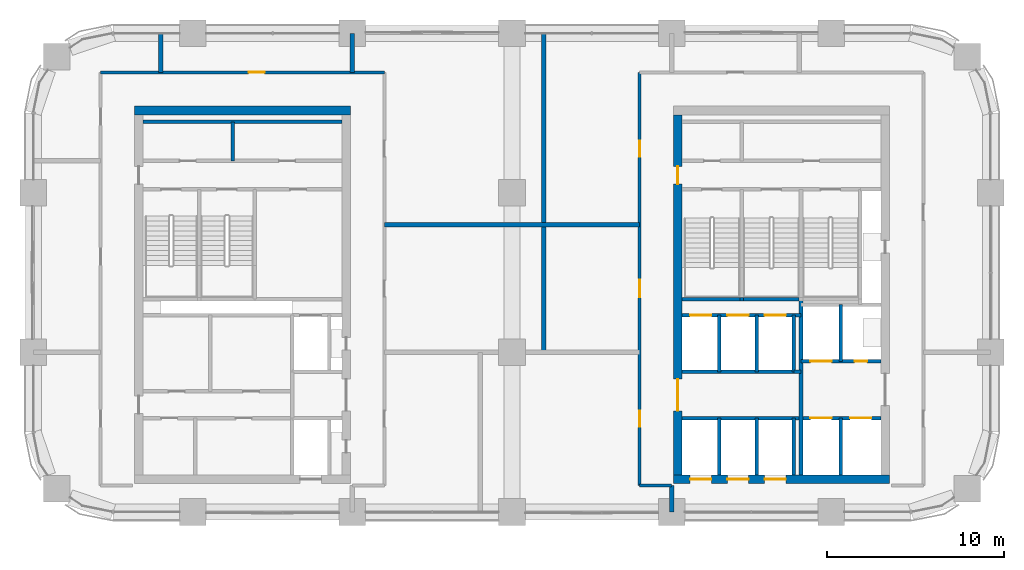
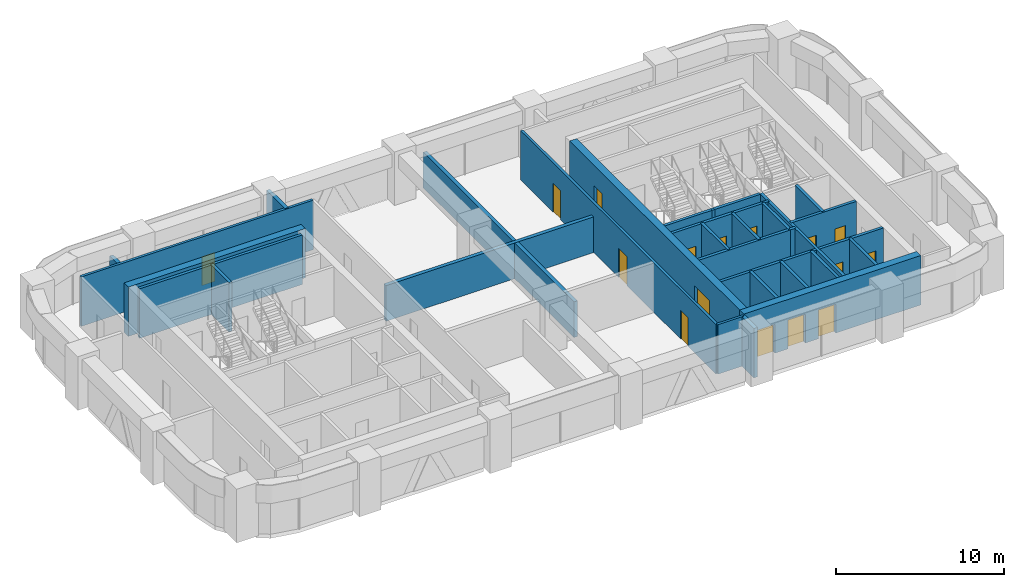
# One storey, part 9 of 18: 30 walls, 16 doors, 16 openings.
"""IFC4 building model written with IfcOpenShell, lengths in metres."""

from ifc_helpers import new_model, si_unit, direction, frame, frame_2d, origin, place, context, subcontext, project, spatial, rectangle, extrude, material, layer, layer_set, type_object, element, fill, save


model = new_model("IFC4")

# Units and contexts
model_context = context("Model", 3, precision=1e-05, world=origin(), true_north=direction((0.0, 1.0)))
body_context = subcontext(model_context, "Body", "Model", "MODEL_VIEW")
ifc_project = project(units=[si_unit("LENGTHUNIT", "METRE"), si_unit("AREAUNIT", "SQUARE_METRE"), si_unit("VOLUMEUNIT", "CUBIC_METRE"), si_unit("PLANEANGLEUNIT", "RADIAN"), si_unit("MASSUNIT", "GRAM", prefix="KILO")], contexts=[model_context])

# Site, building, storey
site_placement = place(None, origin())
site = spatial("IfcSite", under=ifc_project, at=site_placement, CompositionType="ELEMENT")
building_placement = place(site_placement, origin())
building = spatial("IfcBuilding", under=site, at=building_placement, Name="Tessera Arch", CompositionType="ELEMENT")
storey_placement = place(building_placement, frame((0.0, 0.0, 185.60009765625)))
storey = spatial("IfcBuildingStorey", under=building, at=storey_placement, Name="L44", CompositionType="ELEMENT", Elevation=185.60009765625)

# Walls
ifc_material_1 = material(Name="Gypsum board on steel stud", Category="steel")
ifc_layer_1 = layer(ifc_material_1, 0.125)
ifc_layer_set_1 = layer_set([ifc_layer_1], Name="Core partition 125 EI 60")
wall_type_1 = type_object("IfcWallType", Name="Core partition 125 EI 60", PredefinedType="PARTITIONING", material=ifc_layer_set_1)
wall_1_placement = place(storey_placement, frame((42.89990234375, 34.89990234375, 0.0), z_axis=(0.0, 0.0, 1.0), x_axis=(1.0, 0.0, 0.0)))
element("IfcWall", 1, at=wall_1_placement, inside=storey, type_object=wall_type_1, Name="L44 C1 partition wall 19", PredefinedType="PARTITIONING", context=body_context, shape_type="SweptSolid", body=[
    extrude(rectangle(XDim=0.400146484375, YDim=0.199951171875, at=frame_2d((0.2001953125, 0.0))), origin(), (0.0, 0.0, 1.0), 3.599853515625),
])
wall_2_placement = place(storey_placement, frame((11.239990234375, 46.800048828125, 0.0), z_axis=(0.0, 0.0, 1.0), x_axis=(0.0, 1.0, 0.0)))
element("IfcWall", 2, at=wall_2_placement, inside=storey, type_object=wall_type_1, Name="L44 C2 partition wall 5", PredefinedType="PARTITIONING", context=body_context, shape_type="SweptSolid", body=[
    extrude(rectangle(XDim=2.199951171875, YDim=0.199951171875, at=frame_2d((1.10009765625, 0.0))), origin(), (0.0, 0.0, 1.0), 3.599853515625),
])
wall_3_placement = place(storey_placement, frame((6.199951171875, 49.0, 0.0), z_axis=(0.0, 0.0, 1.0), x_axis=(1.0, 0.0, 0.0)))
element("IfcWall", 3, at=wall_3_placement, inside=storey, type_object=wall_type_1, Name="L44 C2 partition wall 25", PredefinedType="PARTITIONING", context=body_context, shape_type="SweptSolid", body=[
    extrude(rectangle(XDim=11.199951171875, YDim=0.199951171875, at=frame_2d((5.60009765625, 0.0))), origin(), (0.0, 0.0, 1.0), 3.599853515625),
])

# Wall, openings, doors
ifc_material_2 = material(Name="Concrete C60/75", Category="concrete")
ifc_layer_2 = layer(ifc_material_2, 0.5)
ifc_layer_set_2 = layer_set([ifc_layer_2], Name="Core shell wall 500 C60-75")
wall_type_2 = type_object("IfcWallType", Name="Core shell wall 500 C60-75", PredefinedType="SHEAR", material=ifc_layer_set_2)
wall_4_placement = place(storey_placement, frame((36.10009765625, 28.85009765625, 0.0), z_axis=(0.0, 0.0, 1.0), x_axis=(1.0, 0.0, 0.0)))
wall_4 = element("IfcWall", 4, at=wall_4_placement, inside=storey, type_object=wall_type_2, Name="L44 C1 core wall S", PredefinedType="SHEAR", context=body_context, shape_type="SweptSolid", body=[
    extrude(rectangle(XDim=12.199951171875, YDim=0.5, at=frame_2d((6.10009765625, 0.0))), origin(), (0.0, 0.0, 1.0), 3.599853515625),
])
opening_1_placement = place(wall_4_placement, frame((0.949951171875, 0.0, 0.0)))
opening_1 = element("IfcOpeningElement", 5, at=opening_1_placement, cuts=wall_4, Name="Opening L44-C01", PredefinedType="OPENING", context=body_context, shape_type="SweptSolid", body=[
    extrude(rectangle(XDim=1.199951171875, YDim=2.10009765625, at=frame_2d((0.60009765625, 1.050048828125))), frame((0.0, 0.260009765625, 0.0), z_axis=(0.0, -1.0, 0.0), x_axis=(1.0, 0.0, 0.0)), (0.0, 0.0, 1.0), 0.52001953125),
])
opening_2_placement = place(wall_4_placement, frame((3.050048828125, 0.0, 0.0)))
opening_2 = element("IfcOpeningElement", 6, at=opening_2_placement, cuts=wall_4, Name="Opening L44-C03", PredefinedType="OPENING", context=body_context, shape_type="SweptSolid", body=[
    extrude(rectangle(XDim=1.199951171875, YDim=2.10009765625, at=frame_2d((0.60009765625, 1.050048828125))), frame((0.0, 0.260009765625, 0.0), z_axis=(0.0, -1.0, 0.0), x_axis=(1.0, 0.0, 0.0)), (0.0, 0.0, 1.0), 0.52001953125),
])
opening_3_placement = place(wall_4_placement, frame((5.14990234375, 0.0, 0.0)))
opening_3 = element("IfcOpeningElement", 7, at=opening_3_placement, cuts=wall_4, Name="Opening L44-C05", PredefinedType="OPENING", context=body_context, shape_type="SweptSolid", body=[
    extrude(rectangle(XDim=1.199951171875, YDim=2.10009765625, at=frame_2d((0.60009765625, 1.050048828125))), frame((0.0, 0.260009765625, 0.0), z_axis=(0.0, -1.0, 0.0), x_axis=(1.0, 0.0, 0.0)), (0.0, 0.0, 1.0), 0.52001953125),
])
ifc_material_3 = material(Name="Stainless steel AISI 304", Category="steel")
door_type_1 = type_object("IfcDoorType", Name="Sliding landing door 1200 x 2100", OperationType="SLIDING_TO_LEFT", PredefinedType="DOOR", material=ifc_material_3)
door_1_placement = place(opening_1_placement, origin())
door_1 = element("IfcDoor", 8, at=door_1_placement, inside=storey, type_object=door_type_1, Name="L44 HR1 lift landing door C01 type LD", OperationType="SLIDING_TO_LEFT", OverallHeight=2.10009765625, OverallWidth=1.199951171875, PredefinedType="DOOR", context=body_context, shape_type="SweptSolid", body=[
    extrude(rectangle(XDim=1.199951171875, YDim=2.10009765625, at=frame_2d((0.60009765625, 1.050048828125))), frame((0.0, 0.02490234375, 0.0), z_axis=(0.0, -1.0, 0.0), x_axis=(1.0, 0.0, 0.0)), (0.0, 0.0, 1.0), 0.050048828125),
])
fill(opening_1, door_1)
door_2_placement = place(opening_2_placement, origin())
door_2 = element("IfcDoor", 9, at=door_2_placement, inside=storey, type_object=door_type_1, Name="L44 HR2 lift landing door C03 type LD", OperationType="SLIDING_TO_LEFT", OverallHeight=2.10009765625, OverallWidth=1.199951171875, PredefinedType="DOOR", context=body_context, shape_type="SweptSolid", body=[
    extrude(rectangle(XDim=1.199951171875, YDim=2.10009765625, at=frame_2d((0.60009765625, 1.050048828125))), frame((0.0, 0.02490234375, 0.0), z_axis=(0.0, -1.0, 0.0), x_axis=(1.0, 0.0, 0.0)), (0.0, 0.0, 1.0), 0.050048828125),
])
fill(opening_2, door_2)
door_3_placement = place(opening_3_placement, origin())
door_3 = element("IfcDoor", 10, at=door_3_placement, inside=storey, type_object=door_type_1, Name="L44 HR3 lift landing door C05 type LD", OperationType="SLIDING_TO_LEFT", OverallHeight=2.10009765625, OverallWidth=1.199951171875, PredefinedType="DOOR", context=body_context, shape_type="SweptSolid", body=[
    extrude(rectangle(XDim=1.199951171875, YDim=2.10009765625, at=frame_2d((0.60009765625, 1.050048828125))), frame((0.0, 0.02490234375, 0.0), z_axis=(0.0, -1.0, 0.0), x_axis=(1.0, 0.0, 0.0)), (0.0, 0.0, 1.0), 0.050048828125),
])
fill(opening_3, door_3)

wall_5_placement = place(storey_placement, frame((36.35009765625, 29.10009765625, 0.0), z_axis=(0.0, 0.0, 1.0), x_axis=(0.0, 1.0, 0.0)))
wall_5 = element("IfcWall", 11, at=wall_5_placement, inside=storey, type_object=wall_type_2, Name="L44 C1 core wall W", PredefinedType="SHEAR", context=body_context, shape_type="SweptSolid", body=[
    extrude(rectangle(XDim=20.2998046875, YDim=0.5, at=frame_2d((10.14990234375, 0.0))), origin(), (0.0, 0.0, 1.0), 3.599853515625),
])
opening_4_placement = place(wall_5_placement, frame((3.60009765625, 0.0, 0.0)))
opening_4 = element("IfcOpeningElement", 12, at=opening_4_placement, cuts=wall_5, Name="Opening L44-C10", PredefinedType="OPENING", context=body_context, shape_type="SweptSolid", body=[
    extrude(rectangle(XDim=1.800048828125, YDim=2.10009765625, at=frame_2d((0.89990234375, 1.050048828125))), frame((0.0, 0.260009765625, 0.0), z_axis=(0.0, -1.0, 0.0), x_axis=(1.0, 0.0, 0.0)), (0.0, 0.0, 1.0), 0.52001953125),
])
opening_5_placement = place(wall_5_placement, frame((16.39990234375, 0.0, 0.0)))
opening_5 = element("IfcOpeningElement", 13, at=opening_5_placement, cuts=wall_5, Name="Opening L44-C17", PredefinedType="OPENING", context=body_context, shape_type="SweptSolid", body=[
    extrude(rectangle(XDim=1.0, YDim=2.10009765625, at=frame_2d((0.5, 1.050048828125))), frame((0.0, 0.260009765625, 0.0), z_axis=(0.0, -1.0, 0.0), x_axis=(1.0, 0.0, 0.0)), (0.0, 0.0, 1.0), 0.52001953125),
])
ifc_material_4 = material(Name="Steel door leaf", Category="steel")
door_type_2 = type_object("IfcDoorType", Name="Corridor door FD60 1000 x 2100", OperationType="SINGLE_SWING_LEFT", PredefinedType="DOOR", material=ifc_material_4)
door_4_placement = place(opening_5_placement, origin())
door_4 = element("IfcDoor", 14, at=door_4_placement, inside=storey, type_object=door_type_2, Name="L44 C1 door 17 C17 type D12", OperationType="SINGLE_SWING_RIGHT", OverallHeight=2.10009765625, OverallWidth=1.0, PredefinedType="DOOR", context=body_context, shape_type="SweptSolid", body=[
    extrude(rectangle(XDim=1.0, YDim=2.10009765625, at=frame_2d((0.5, 1.050048828125))), frame((0.0, 0.02490234375, 0.0), z_axis=(0.0, -1.0, 0.0), x_axis=(1.0, 0.0, 0.0)), (0.0, 0.0, 1.0), 0.050048828125),
])
fill(opening_5, door_4)
ifc_material_5 = material(Name="Glazed steel door leaf", Category="steel")
door_type_3 = type_object("IfcDoorType", Name="Lobby double door FD30S 1800 x 2100", OperationType="DOUBLE_DOOR_SINGLE_SWING", PredefinedType="DOOR", material=ifc_material_5)
door_5_placement = place(opening_4_placement, origin())
door_5 = element("IfcDoor", 15, at=door_5_placement, inside=storey, type_object=door_type_3, Name="L44 C1 door 10 C10 type D06", OperationType="DOUBLE_DOOR_SINGLE_SWING", OverallHeight=2.10009765625, OverallWidth=1.800048828125, PredefinedType="DOOR", context=body_context, shape_type="SweptSolid", body=[
    extrude(rectangle(XDim=1.800048828125, YDim=2.10009765625, at=frame_2d((0.89990234375, 1.050048828125))), frame((0.0, 0.02490234375, 0.0), z_axis=(0.0, -1.0, 0.0), x_axis=(1.0, 0.0, 0.0)), (0.0, 0.0, 1.0), 0.050048828125),
])
fill(opening_4, door_5)

# Walls
wall_6_placement = place(storey_placement, frame((5.699951171875, 49.64990234375, 0.0), z_axis=(0.0, 0.0, 1.0), x_axis=(1.0, 0.0, 0.0)))
element("IfcWall", 16, at=wall_6_placement, inside=storey, type_object=wall_type_2, Name="L44 C2 core wall N", PredefinedType="SHEAR", context=body_context, shape_type="SweptSolid", body=[
    extrude(rectangle(XDim=12.199951171875, YDim=0.5, at=frame_2d((6.10009765625, 0.0))), origin(), (0.0, 0.0, 1.0), 3.599853515625),
])
ifc_material_6 = material(Name="Gypsum board on deep steel stud with mineral wool", Category="steel")
ifc_layer_3 = layer(ifc_material_6, 0.175048828125)
ifc_layer_set_3 = layer_set([ifc_layer_3], Name="Corridor wall 175 EI 60")
wall_type_3 = type_object("IfcWallType", Name="Corridor wall 175 EI 60", PredefinedType="PARTITIONING", material=ifc_layer_set_3)
wall_7_placement = place(storey_placement, frame((34.199951171875, 28.5, 0.0), z_axis=(0.0, 0.0, 1.0), x_axis=(1.0, 0.0, 0.0)))
element("IfcWall", 17, at=wall_7_placement, inside=storey, type_object=wall_type_3, Name="L44 partition 3", PredefinedType="PARTITIONING", context=body_context, shape_type="SweptSolid", body=[
    extrude(rectangle(XDim=1.800048828125, YDim=0.175048828125, at=frame_2d((0.89990234375, 0.0))), origin(), (0.0, 0.0, 1.0), 3.599853515625),
])

# Wall, opening, door
wall_8_placement = place(storey_placement, frame((3.800048828125, 51.800048828125, 0.0), z_axis=(0.0, 0.0, 1.0), x_axis=(1.0, 0.0, 0.0)))
wall_8 = element("IfcWall", 18, at=wall_8_placement, inside=storey, type_object=wall_type_3, Name="L44 partition 5", PredefinedType="PARTITIONING", context=body_context, shape_type="SweptSolid", body=[
    extrude(rectangle(XDim=16.0, YDim=0.175048828125, at=frame_2d((8.0, 0.0))), origin(), (0.0, 0.0, 1.0), 3.599853515625),
])
opening_6_placement = place(wall_8_placement, frame((8.34765625, 0.0, 0.0)))
opening_6 = element("IfcOpeningElement", 19, at=opening_6_placement, cuts=wall_8, Name="Opening L44-D012", PredefinedType="OPENING", context=body_context, shape_type="SweptSolid", body=[
    extrude(rectangle(XDim=0.89990234375, YDim=2.10009765625, at=frame_2d((0.449951171875, 1.050048828125))), frame((0.0, 0.097412109375, 0.0), z_axis=(0.0, -1.0, 0.0), x_axis=(1.0, 0.0, 0.0)), (0.0, 0.0, 1.0), 0.195068359375),
])
ifc_material_7 = material(Name="Timber door leaf", Category="wood")
door_type_4 = type_object("IfcDoorType", Name="Room door 900 x 2100", OperationType="SINGLE_SWING_LEFT", PredefinedType="DOOR", material=ifc_material_7)
door_6_placement = place(opening_6_placement, origin())
door_6 = element("IfcDoor", 20, at=door_6_placement, inside=storey, type_object=door_type_4, Name="L44 door D012 type D01", OperationType="SINGLE_SWING_RIGHT", OverallHeight=2.10009765625, OverallWidth=0.89990234375, PredefinedType="DOOR", context=body_context, shape_type="SweptSolid", body=[
    extrude(rectangle(XDim=0.89990234375, YDim=2.10009765625, at=frame_2d((0.449951171875, 1.050048828125))), frame((0.0, 0.02490234375, 0.0), z_axis=(0.0, -1.0, 0.0), x_axis=(1.0, 0.0, 0.0)), (0.0, 0.0, 1.0), 0.050048828125),
])
fill(opening_6, door_6)

# Wall, openings, doors
wall_9_placement = place(storey_placement, frame((34.199951171875, 28.5, 0.0), z_axis=(0.0, 0.0, 1.0), x_axis=(0.0, 1.0, 0.0)))
wall_9 = element("IfcWall", 21, at=wall_9_placement, inside=storey, type_object=wall_type_3, Name="L44 partition 9", PredefinedType="PARTITIONING", context=body_context, shape_type="SweptSolid", body=[
    extrude(rectangle(XDim=23.300048828125, YDim=0.175048828125, at=frame_2d((11.64990234375, 0.0))), origin(), (0.0, 0.0, 1.0), 3.599853515625),
])
opening_7_placement = place(wall_9_placement, frame((3.300048828125, 0.0, 0.0)))
opening_7 = element("IfcOpeningElement", 22, at=opening_7_placement, cuts=wall_9, Name="Opening L44-D004", PredefinedType="OPENING", context=body_context, shape_type="SweptSolid", body=[
    extrude(rectangle(XDim=0.89990234375, YDim=2.10009765625, at=frame_2d((0.449951171875, 1.050048828125))), frame((0.0, 0.097412109375, 0.0), z_axis=(0.0, -1.0, 0.0), x_axis=(1.0, 0.0, 0.0)), (0.0, 0.0, 1.0), 0.195068359375),
])
opening_8_placement = place(wall_9_placement, frame((10.60009765625, 0.0, 0.0)))
opening_8 = element("IfcOpeningElement", 23, at=opening_8_placement, cuts=wall_9, Name="Opening L44-D006", PredefinedType="OPENING", context=body_context, shape_type="SweptSolid", body=[
    extrude(rectangle(XDim=1.0, YDim=2.10009765625, at=frame_2d((0.5, 1.050048828125))), frame((0.0, 0.097412109375, 0.0), z_axis=(0.0, -1.0, 0.0), x_axis=(1.0, 0.0, 0.0)), (0.0, 0.0, 1.0), 0.195068359375),
])
opening_9_placement = place(wall_9_placement, frame((18.550048828125, 0.0, 0.0)))
opening_9 = element("IfcOpeningElement", 24, at=opening_9_placement, cuts=wall_9, Name="Opening L44-D010", PredefinedType="OPENING", context=body_context, shape_type="SweptSolid", body=[
    extrude(rectangle(XDim=0.89990234375, YDim=2.10009765625, at=frame_2d((0.449951171875, 1.050048828125))), frame((0.0, 0.097412109375, 0.0), z_axis=(0.0, -1.0, 0.0), x_axis=(1.0, 0.0, 0.0)), (0.0, 0.0, 1.0), 0.195068359375),
])
ifc_material_8 = material(Name="Fire-rated door leaf")
door_type_5 = type_object("IfcDoorType", Name="Entrance door FD30S 1000 x 2100", OperationType="SINGLE_SWING_LEFT", PredefinedType="DOOR", material=ifc_material_8)
door_7_placement = place(opening_8_placement, origin())
door_7 = element("IfcDoor", 25, at=door_7_placement, inside=storey, type_object=door_type_5, Name="L44 door D006 type D03", OperationType="SINGLE_SWING_RIGHT", OverallHeight=2.10009765625, OverallWidth=1.0, PredefinedType="DOOR", context=body_context, shape_type="SweptSolid", body=[
    extrude(rectangle(XDim=1.0, YDim=2.10009765625, at=frame_2d((0.5, 1.050048828125))), frame((0.0, 0.02490234375, 0.0), z_axis=(0.0, -1.0, 0.0), x_axis=(1.0, 0.0, 0.0)), (0.0, 0.0, 1.0), 0.050048828125),
])
fill(opening_8, door_7)
door_8_placement = place(opening_7_placement, origin())
door_8 = element("IfcDoor", 26, at=door_8_placement, inside=storey, type_object=door_type_4, Name="L44 door D004 type D01", OperationType="SINGLE_SWING_RIGHT", OverallHeight=2.10009765625, OverallWidth=0.89990234375, PredefinedType="DOOR", context=body_context, shape_type="SweptSolid", body=[
    extrude(rectangle(XDim=0.89990234375, YDim=2.10009765625, at=frame_2d((0.449951171875, 1.050048828125))), frame((0.0, 0.02490234375, 0.0), z_axis=(0.0, -1.0, 0.0), x_axis=(1.0, 0.0, 0.0)), (0.0, 0.0, 1.0), 0.050048828125),
])
fill(opening_7, door_8)
door_9_placement = place(opening_9_placement, origin())
door_9 = element("IfcDoor", 27, at=door_9_placement, inside=storey, type_object=door_type_4, Name="L44 door D010 type D01", OperationType="SINGLE_SWING_RIGHT", OverallHeight=2.10009765625, OverallWidth=0.89990234375, PredefinedType="DOOR", context=body_context, shape_type="SweptSolid", body=[
    extrude(rectangle(XDim=0.89990234375, YDim=2.10009765625, at=frame_2d((0.449951171875, 1.050048828125))), frame((0.0, 0.02490234375, 0.0), z_axis=(0.0, -1.0, 0.0), x_axis=(1.0, 0.0, 0.0)), (0.0, 0.0, 1.0), 0.050048828125),
])
fill(opening_9, door_9)

# Walls
ifc_material_9 = material(Name="Double gypsum board on twin steel stud with acoustic mineral wool", Category="steel")
ifc_layer_4 = layer(ifc_material_9, 0.25)
ifc_layer_set_4 = layer_set([ifc_layer_4], Name="Party wall 250 EI 60")
wall_type_4 = type_object("IfcWallType", Name="Party wall 250 EI 60", PredefinedType="PARTITIONING", material=ifc_layer_set_4)
wall_10_placement = place(storey_placement, frame((19.800048828125, 43.199951171875, 0.0), z_axis=(0.0, 0.0, 1.0), x_axis=(1.0, 0.0, 0.0)))
element("IfcWall", 28, at=wall_10_placement, inside=storey, type_object=wall_type_4, Name="L44 partition 14", PredefinedType="PARTITIONING", context=body_context, shape_type="SweptSolid", body=[
    extrude(rectangle(XDim=14.39990234375, YDim=0.25, at=frame_2d((7.199951171875, 0.0))), origin(), (0.0, 0.0, 1.0), 2.599853515625),
])
wall_11_placement = place(storey_placement, frame((7.195068359375, 51.800048828125, 0.0), z_axis=(0.0, 0.0, 1.0), x_axis=(0.0, 1.0, 0.0)))
element("IfcWall", 29, at=wall_11_placement, inside=storey, type_object=wall_type_4, Name="L44 partition 16", PredefinedType="PARTITIONING", context=body_context, shape_type="SweptSolid", body=[
    extrude(rectangle(XDim=2.199951171875, YDim=0.25, at=frame_2d((1.10009765625, 0.0))), origin(), (0.0, 0.0, 1.0), 2.599853515625),
])
wall_12_placement = place(storey_placement, frame((18.0, 51.800048828125, 0.0), z_axis=(0.0, 0.0, 1.0), x_axis=(0.0, 1.0, 0.0)))
element("IfcWall", 30, at=wall_12_placement, inside=storey, type_object=wall_type_4, Name="L44 partition 18", PredefinedType="PARTITIONING", context=body_context, shape_type="SweptSolid", body=[
    extrude(rectangle(XDim=2.199951171875, YDim=0.25, at=frame_2d((1.10009765625, 0.0))), origin(), (0.0, 0.0, 1.0), 3.599853515625),
])
wall_13_placement = place(storey_placement, frame((28.800048828125, 36.0, 0.0), z_axis=(0.0, 0.0, 1.0), x_axis=(0.0, 1.0, 0.0)))
element("IfcWall", 31, at=wall_13_placement, inside=storey, type_object=wall_type_4, Name="L44 partition 20", PredefinedType="PARTITIONING", context=body_context, shape_type="SweptSolid", body=[
    extrude(rectangle(XDim=18.0, YDim=0.25, at=frame_2d((9.0, 0.0))), origin(), (0.0, 0.0, 1.0), 2.599853515625),
])
wall_14_placement = place(storey_placement, frame((36.0, 27.0, 0.0), z_axis=(0.0, 0.0, 1.0), x_axis=(0.0, 1.0, 0.0)))
element("IfcWall", 32, at=wall_14_placement, inside=storey, type_object=wall_type_4, Name="L44 partition 21", PredefinedType="PARTITIONING", context=body_context, shape_type="SweptSolid", body=[
    extrude(rectangle(XDim=1.5, YDim=0.25, at=frame_2d((0.75, 0.0))), origin(), (0.0, 0.0, 1.0), 3.599853515625),
])
ifc_material_10 = material(Name="Concrete C40/50", Category="concrete")
ifc_layer_5 = layer(ifc_material_10, 0.199951171875)
ifc_layer_set_5 = layer_set([ifc_layer_5], Name="Shaft wall 200 EI 120")
wall_type_5 = type_object("IfcWallType", Name="Shaft wall 200 EI 120", PredefinedType="SOLIDWALL", material=ifc_layer_set_5)
wall_15_placement = place(storey_placement, frame((38.699951171875, 29.10009765625, 0.0), z_axis=(0.0, 0.0, 1.0), x_axis=(0.0, 1.0, 0.0)))
element("IfcWall", 33, at=wall_15_placement, inside=storey, type_object=wall_type_5, Name="L44 C1 shaft wall 1", PredefinedType="SOLIDWALL", context=body_context, shape_type="SweptSolid", body=[
    extrude(rectangle(XDim=3.199951171875, YDim=0.199951171875, at=frame_2d((1.60009765625, 0.0))), origin(), (0.0, 0.0, 1.0), 3.599853515625),
])
wall_16_placement = place(storey_placement, frame((38.699951171875, 34.89990234375, 0.0), z_axis=(0.0, 0.0, 1.0), x_axis=(0.0, 1.0, 0.0)))
element("IfcWall", 34, at=wall_16_placement, inside=storey, type_object=wall_type_5, Name="L44 C1 shaft wall 2", PredefinedType="SOLIDWALL", context=body_context, shape_type="SweptSolid", body=[
    extrude(rectangle(XDim=3.2001953125, YDim=0.199951171875, at=frame_2d((1.60009765625, 0.0))), origin(), (0.0, 0.0, 1.0), 3.599853515625),
])
wall_17_placement = place(storey_placement, frame((40.800048828125, 29.10009765625, 0.0), z_axis=(0.0, 0.0, 1.0), x_axis=(0.0, 1.0, 0.0)))
element("IfcWall", 35, at=wall_17_placement, inside=storey, type_object=wall_type_5, Name="L44 C1 shaft wall 6", PredefinedType="SOLIDWALL", context=body_context, shape_type="SweptSolid", body=[
    extrude(rectangle(XDim=3.199951171875, YDim=0.199951171875, at=frame_2d((1.60009765625, 0.0))), origin(), (0.0, 0.0, 1.0), 3.599853515625),
])
wall_18_placement = place(storey_placement, frame((40.800048828125, 34.89990234375, 0.0), z_axis=(0.0, 0.0, 1.0), x_axis=(0.0, 1.0, 0.0)))
element("IfcWall", 36, at=wall_18_placement, inside=storey, type_object=wall_type_5, Name="L44 C1 shaft wall 7", PredefinedType="SOLIDWALL", context=body_context, shape_type="SweptSolid", body=[
    extrude(rectangle(XDim=3.2001953125, YDim=0.199951171875, at=frame_2d((1.60009765625, 0.0))), origin(), (0.0, 0.0, 1.0), 3.599853515625),
])
wall_19_placement = place(storey_placement, frame((42.89990234375, 29.10009765625, 0.0), z_axis=(0.0, 0.0, 1.0), x_axis=(0.0, 1.0, 0.0)))
element("IfcWall", 37, at=wall_19_placement, inside=storey, type_object=wall_type_5, Name="L44 C1 shaft wall 8", PredefinedType="SOLIDWALL", context=body_context, shape_type="SweptSolid", body=[
    extrude(rectangle(XDim=3.199951171875, YDim=0.199951171875, at=frame_2d((1.60009765625, 0.0))), origin(), (0.0, 0.0, 1.0), 3.599853515625),
])
wall_20_placement = place(storey_placement, frame((42.89990234375, 34.89990234375, 0.0), z_axis=(0.0, 0.0, 1.0), x_axis=(0.0, 1.0, 0.0)))
element("IfcWall", 38, at=wall_20_placement, inside=storey, type_object=wall_type_5, Name="L44 C1 shaft wall 9", PredefinedType="SOLIDWALL", context=body_context, shape_type="SweptSolid", body=[
    extrude(rectangle(XDim=3.2001953125, YDim=0.199951171875, at=frame_2d((1.60009765625, 0.0))), origin(), (0.0, 0.0, 1.0), 3.599853515625),
])
wall_21_placement = place(storey_placement, frame((43.300048828125, 29.10009765625, 0.0), z_axis=(0.0, 0.0, 1.0), x_axis=(0.0, 1.0, 0.0)))
element("IfcWall", 39, at=wall_21_placement, inside=storey, type_object=wall_type_5, Name="L44 C1 shaft wall 10", PredefinedType="SOLIDWALL", context=body_context, shape_type="SweptSolid", body=[
    extrude(rectangle(XDim=9.89990234375, YDim=0.199951171875, at=frame_2d((4.949951171875, 0.0))), origin(), (0.0, 0.0, 1.0), 3.599853515625),
])
for number, where, z_axis, x_axis, name in (
    (40, (45.550048828125, 29.10009765625, 0.0), (0.0, 0.0, 1.0), (0.0, 1.0, 0.0), "L44 C1 shaft wall 13"),
    (41, (45.550048828125, 35.5, 0.0), (0.0, 0.0, 1.0), (0.0, 1.0, 0.0), "L44 C1 shaft wall 14"),
):
    element("IfcWall", number, at=place(storey_placement, frame(where, z_axis=z_axis, x_axis=x_axis)), inside=storey, type_object=wall_type_5, Name=name, PredefinedType="SOLIDWALL", context=body_context, shape_type="SweptSolid", body=[
        extrude(rectangle(XDim=3.199951171875, YDim=0.199951171875, at=frame_2d((1.60009765625, 0.0))), origin(), (0.0, 0.0, 1.0), 3.599853515625),
    ])

# Wall, openings, doors
wall_22_placement = place(storey_placement, frame((36.60009765625, 32.300048828125, 0.0), z_axis=(0.0, 0.0, 1.0), x_axis=(1.0, 0.0, 0.0)))
wall_22 = element("IfcWall", 42, at=wall_22_placement, inside=storey, type_object=wall_type_5, Name="L44 C1 shaft wall 18", PredefinedType="SOLIDWALL", context=body_context, shape_type="SweptSolid", body=[
    extrude(rectangle(XDim=11.199951171875, YDim=0.199951171875, at=frame_2d((5.60009765625, 0.0))), origin(), (0.0, 0.0, 1.0), 3.599853515625),
])
opening_10_placement = place(wall_22_placement, frame((7.22509765625, 0.0, 0.0)))
opening_10 = element("IfcOpeningElement", 43, at=opening_10_placement, cuts=wall_22, Name="Opening L44-C07", PredefinedType="OPENING", context=body_context, shape_type="SweptSolid", body=[
    extrude(rectangle(XDim=1.199951171875, YDim=2.10009765625, at=frame_2d((0.60009765625, 1.050048828125))), frame((0.0, 0.10986328125, 0.0), z_axis=(0.0, -1.0, 0.0), x_axis=(1.0, 0.0, 0.0)), (0.0, 0.0, 1.0), 0.219970703125),
])
opening_11_placement = place(wall_22_placement, frame((9.47509765625, 0.0, 0.0)))
opening_11 = element("IfcOpeningElement", 44, at=opening_11_placement, cuts=wall_22, Name="Opening L44-C08", PredefinedType="OPENING", context=body_context, shape_type="SweptSolid", body=[
    extrude(rectangle(XDim=1.199951171875, YDim=2.10009765625, at=frame_2d((0.60009765625, 1.050048828125))), frame((0.0, 0.10986328125, 0.0), z_axis=(0.0, -1.0, 0.0), x_axis=(1.0, 0.0, 0.0)), (0.0, 0.0, 1.0), 0.219970703125),
])
door_10_placement = place(opening_10_placement, origin())
door_10 = element("IfcDoor", 45, at=door_10_placement, inside=storey, type_object=door_type_1, Name="L44 FF1 lift landing door C07 type LD", OperationType="SLIDING_TO_LEFT", OverallHeight=2.10009765625, OverallWidth=1.199951171875, PredefinedType="DOOR", context=body_context, shape_type="SweptSolid", body=[
    extrude(rectangle(XDim=1.199951171875, YDim=2.10009765625, at=frame_2d((0.60009765625, 1.050048828125))), frame((0.0, 0.02490234375, 0.0), z_axis=(0.0, -1.0, 0.0), x_axis=(1.0, 0.0, 0.0)), (0.0, 0.0, 1.0), 0.050048828125),
])
fill(opening_10, door_10)
door_11_placement = place(opening_11_placement, origin())
door_11 = element("IfcDoor", 46, at=door_11_placement, inside=storey, type_object=door_type_1, Name="L44 FF2 lift landing door C08 type LD", OperationType="SLIDING_TO_LEFT", OverallHeight=2.10009765625, OverallWidth=1.199951171875, PredefinedType="DOOR", context=body_context, shape_type="SweptSolid", body=[
    extrude(rectangle(XDim=1.199951171875, YDim=2.10009765625, at=frame_2d((0.60009765625, 1.050048828125))), frame((0.0, 0.02490234375, 0.0), z_axis=(0.0, -1.0, 0.0), x_axis=(1.0, 0.0, 0.0)), (0.0, 0.0, 1.0), 0.050048828125),
])
fill(opening_11, door_11)

# Wall
wall_23_placement = place(storey_placement, frame((36.60009765625, 34.89990234375, 0.0), z_axis=(0.0, 0.0, 1.0), x_axis=(1.0, 0.0, 0.0)))
element("IfcWall", 47, at=wall_23_placement, inside=storey, type_object=wall_type_5, Name="L44 C1 shaft wall 20", PredefinedType="SOLIDWALL", context=body_context, shape_type="SweptSolid", body=[
    extrude(rectangle(XDim=6.2998046875, YDim=0.199951171875, at=frame_2d((3.14990234375, 0.0))), origin(), (0.0, 0.0, 1.0), 3.599853515625),
])

# Wall, openings, doors
wall_24_placement = place(storey_placement, frame((43.300048828125, 35.5, 0.0), z_axis=(0.0, 0.0, 1.0), x_axis=(1.0, 0.0, 0.0)))
wall_24 = element("IfcWall", 48, at=wall_24_placement, inside=storey, type_object=wall_type_5, Name="L44 C1 shaft wall 21", PredefinedType="SOLIDWALL", context=body_context, shape_type="SweptSolid", body=[
    extrude(rectangle(XDim=4.5, YDim=0.199951171875, at=frame_2d((2.25, 0.0))), origin(), (0.0, 0.0, 1.0), 3.599853515625),
])
opening_12_placement = place(wall_24_placement, frame((0.52490234375, 0.0, 0.0)))
opening_12 = element("IfcOpeningElement", 49, at=opening_12_placement, cuts=wall_24, Name="Opening L44-C09", PredefinedType="OPENING", context=body_context, shape_type="SweptSolid", body=[
    extrude(rectangle(XDim=1.199951171875, YDim=2.10009765625, at=frame_2d((0.60009765625, 1.050048828125))), frame((0.0, 0.10986328125, 0.0), z_axis=(0.0, -1.0, 0.0), x_axis=(1.0, 0.0, 0.0)), (0.0, 0.0, 1.0), 0.219970703125),
])
opening_13_placement = place(wall_24_placement, frame((3.02490234375, 0.0, 0.0)))
opening_13 = element("IfcOpeningElement", 50, at=opening_13_placement, cuts=wall_24, Name="Opening L44-C16", PredefinedType="OPENING", context=body_context, shape_type="SweptSolid", body=[
    extrude(rectangle(XDim=0.699951171875, YDim=2.10009765625, at=frame_2d((0.35009765625, 1.050048828125))), frame((0.0, 0.10986328125, 0.0), z_axis=(0.0, -1.0, 0.0), x_axis=(1.0, 0.0, 0.0)), (0.0, 0.0, 1.0), 0.219970703125),
])
ifc_material_11 = material(Name="Steel door leaf", Category="steel")
door_type_6 = type_object("IfcDoorType", Name="Service shaft door FD60 700 x 2100", OperationType="SINGLE_SWING_LEFT", PredefinedType="DOOR", material=ifc_material_11)
door_12_placement = place(opening_13_placement, origin())
door_12 = element("IfcDoor", 51, at=door_12_placement, inside=storey, type_object=door_type_6, Name="L44 C1 door 16 C16 type D07", OperationType="SINGLE_SWING_RIGHT", OverallHeight=2.10009765625, OverallWidth=0.699951171875, PredefinedType="DOOR", context=body_context, shape_type="SweptSolid", body=[
    extrude(rectangle(XDim=0.699951171875, YDim=2.10009765625, at=frame_2d((0.35009765625, 1.050048828125))), frame((0.0, 0.02490234375, 0.0), z_axis=(0.0, -1.0, 0.0), x_axis=(1.0, 0.0, 0.0)), (0.0, 0.0, 1.0), 0.050048828125),
])
fill(opening_13, door_12)
door_13_placement = place(opening_12_placement, origin())
door_13 = element("IfcDoor", 52, at=door_13_placement, inside=storey, type_object=door_type_1, Name="L44 SV2 lift landing door C09 type LD", OperationType="SLIDING_TO_LEFT", OverallHeight=2.10009765625, OverallWidth=1.199951171875, PredefinedType="DOOR", context=body_context, shape_type="SweptSolid", body=[
    extrude(rectangle(XDim=1.199951171875, YDim=2.10009765625, at=frame_2d((0.60009765625, 1.050048828125))), frame((0.0, 0.02490234375, 0.0), z_axis=(0.0, -1.0, 0.0), x_axis=(1.0, 0.0, 0.0)), (0.0, 0.0, 1.0), 0.050048828125),
])
fill(opening_12, door_13)

wall_25_placement = place(storey_placement, frame((36.60009765625, 38.10009765625, 0.0), z_axis=(0.0, 0.0, 1.0), x_axis=(1.0, 0.0, 0.0)))
wall_25 = element("IfcWall", 53, at=wall_25_placement, inside=storey, type_object=wall_type_5, Name="L44 C1 shaft wall 22", PredefinedType="SOLIDWALL", context=body_context, shape_type="SweptSolid", body=[
    extrude(rectangle(XDim=6.699951171875, YDim=0.199951171875, at=frame_2d((3.35009765625, 0.0))), origin(), (0.0, 0.0, 1.0), 3.599853515625),
])
opening_14_placement = place(wall_25_placement, frame((0.449951171875, 0.0, 0.0)))
opening_14 = element("IfcOpeningElement", 54, at=opening_14_placement, cuts=wall_25, Name="Opening L44-C02", PredefinedType="OPENING", context=body_context, shape_type="SweptSolid", body=[
    extrude(rectangle(XDim=1.199951171875, YDim=2.10009765625, at=frame_2d((0.60009765625, 1.050048828125))), frame((0.0, 0.10986328125, 0.0), z_axis=(0.0, -1.0, 0.0), x_axis=(1.0, 0.0, 0.0)), (0.0, 0.0, 1.0), 0.219970703125),
])
opening_15_placement = place(wall_25_placement, frame((2.550048828125, 0.0, 0.0)))
opening_15 = element("IfcOpeningElement", 55, at=opening_15_placement, cuts=wall_25, Name="Opening L44-C04", PredefinedType="OPENING", context=body_context, shape_type="SweptSolid", body=[
    extrude(rectangle(XDim=1.199951171875, YDim=2.10009765625, at=frame_2d((0.60009765625, 1.050048828125))), frame((0.0, 0.10986328125, 0.0), z_axis=(0.0, -1.0, 0.0), x_axis=(1.0, 0.0, 0.0)), (0.0, 0.0, 1.0), 0.219970703125),
])
opening_16_placement = place(wall_25_placement, frame((4.64990234375, 0.0, 0.0)))
opening_16 = element("IfcOpeningElement", 56, at=opening_16_placement, cuts=wall_25, Name="Opening L44-C06", PredefinedType="OPENING", context=body_context, shape_type="SweptSolid", body=[
    extrude(rectangle(XDim=1.199951171875, YDim=2.10009765625, at=frame_2d((0.60009765625, 1.050048828125))), frame((0.0, 0.10986328125, 0.0), z_axis=(0.0, -1.0, 0.0), x_axis=(1.0, 0.0, 0.0)), (0.0, 0.0, 1.0), 0.219970703125),
])
door_14_placement = place(opening_14_placement, origin())
door_14 = element("IfcDoor", 57, at=door_14_placement, inside=storey, type_object=door_type_1, Name="L44 HR4 lift landing door C02 type LD", OperationType="SLIDING_TO_LEFT", OverallHeight=2.10009765625, OverallWidth=1.199951171875, PredefinedType="DOOR", context=body_context, shape_type="SweptSolid", body=[
    extrude(rectangle(XDim=1.199951171875, YDim=2.10009765625, at=frame_2d((0.60009765625, 1.050048828125))), frame((0.0, 0.02490234375, 0.0), z_axis=(0.0, -1.0, 0.0), x_axis=(1.0, 0.0, 0.0)), (0.0, 0.0, 1.0), 0.050048828125),
])
fill(opening_14, door_14)
door_15_placement = place(opening_15_placement, origin())
door_15 = element("IfcDoor", 58, at=door_15_placement, inside=storey, type_object=door_type_1, Name="L44 HR5 lift landing door C04 type LD", OperationType="SLIDING_TO_LEFT", OverallHeight=2.10009765625, OverallWidth=1.199951171875, PredefinedType="DOOR", context=body_context, shape_type="SweptSolid", body=[
    extrude(rectangle(XDim=1.199951171875, YDim=2.10009765625, at=frame_2d((0.60009765625, 1.050048828125))), frame((0.0, 0.02490234375, 0.0), z_axis=(0.0, -1.0, 0.0), x_axis=(1.0, 0.0, 0.0)), (0.0, 0.0, 1.0), 0.050048828125),
])
fill(opening_15, door_15)
door_16_placement = place(opening_16_placement, origin())
door_16 = element("IfcDoor", 59, at=door_16_placement, inside=storey, type_object=door_type_1, Name="L44 HR6 lift landing door C06 type LD", OperationType="SLIDING_TO_LEFT", OverallHeight=2.10009765625, OverallWidth=1.199951171875, PredefinedType="DOOR", context=body_context, shape_type="SweptSolid", body=[
    extrude(rectangle(XDim=1.199951171875, YDim=2.10009765625, at=frame_2d((0.60009765625, 1.050048828125))), frame((0.0, 0.02490234375, 0.0), z_axis=(0.0, -1.0, 0.0), x_axis=(1.0, 0.0, 0.0)), (0.0, 0.0, 1.0), 0.050048828125),
])
fill(opening_16, door_16)

# Walls
ifc_material_12 = material(Name="Concrete C40/50", Category="concrete")
ifc_layer_6 = layer(ifc_material_12, 0.199951171875)
ifc_layer_set_6 = layer_set([ifc_layer_6], Name="Stair well wall 200 REI 180")
wall_type_6 = type_object("IfcWallType", Name="Stair well wall 200 REI 180", PredefinedType="SOLIDWALL", material=ifc_layer_set_6)
wall_26_placement = place(storey_placement, frame((36.60009765625, 39.0, 0.0), z_axis=(0.0, 0.0, 1.0), x_axis=(1.0, 0.0, 0.0)))
element("IfcWall", 60, at=wall_26_placement, inside=storey, type_object=wall_type_6, Name="L44 C1 shaft wall 24", PredefinedType="SOLIDWALL", context=body_context, shape_type="SweptSolid", body=[
    extrude(rectangle(XDim=3.25, YDim=0.199951171875, at=frame_2d((1.625, 0.0))), origin(), (0.0, 0.0, 1.0), 3.599853515625),
])
wall_27_placement = place(storey_placement, frame((39.85009765625, 39.0, 0.0), z_axis=(0.0, 0.0, 1.0), x_axis=(1.0, 0.0, 0.0)))
element("IfcWall", 61, at=wall_27_placement, inside=storey, type_object=wall_type_6, Name="L44 C1 shaft wall 25", PredefinedType="SOLIDWALL", context=body_context, shape_type="SweptSolid", body=[
    extrude(rectangle(XDim=0.199951171875, YDim=0.199951171875, at=frame_2d((0.10009765625, 0.0))), origin(), (0.0, 0.0, 1.0), 3.599853515625),
])
wall_28_placement = place(storey_placement, frame((40.050048828125, 39.0, 0.0), z_axis=(0.0, 0.0, 1.0), x_axis=(1.0, 0.0, 0.0)))
element("IfcWall", 62, at=wall_28_placement, inside=storey, type_object=wall_type_6, Name="L44 C1 shaft wall 26", PredefinedType="SOLIDWALL", context=body_context, shape_type="SweptSolid", body=[
    extrude(rectangle(XDim=3.14990234375, YDim=0.199951171875, at=frame_2d((1.574951171875, 0.0))), origin(), (0.0, 0.0, 1.0), 3.599853515625),
])

save(model, "model.ifc")
